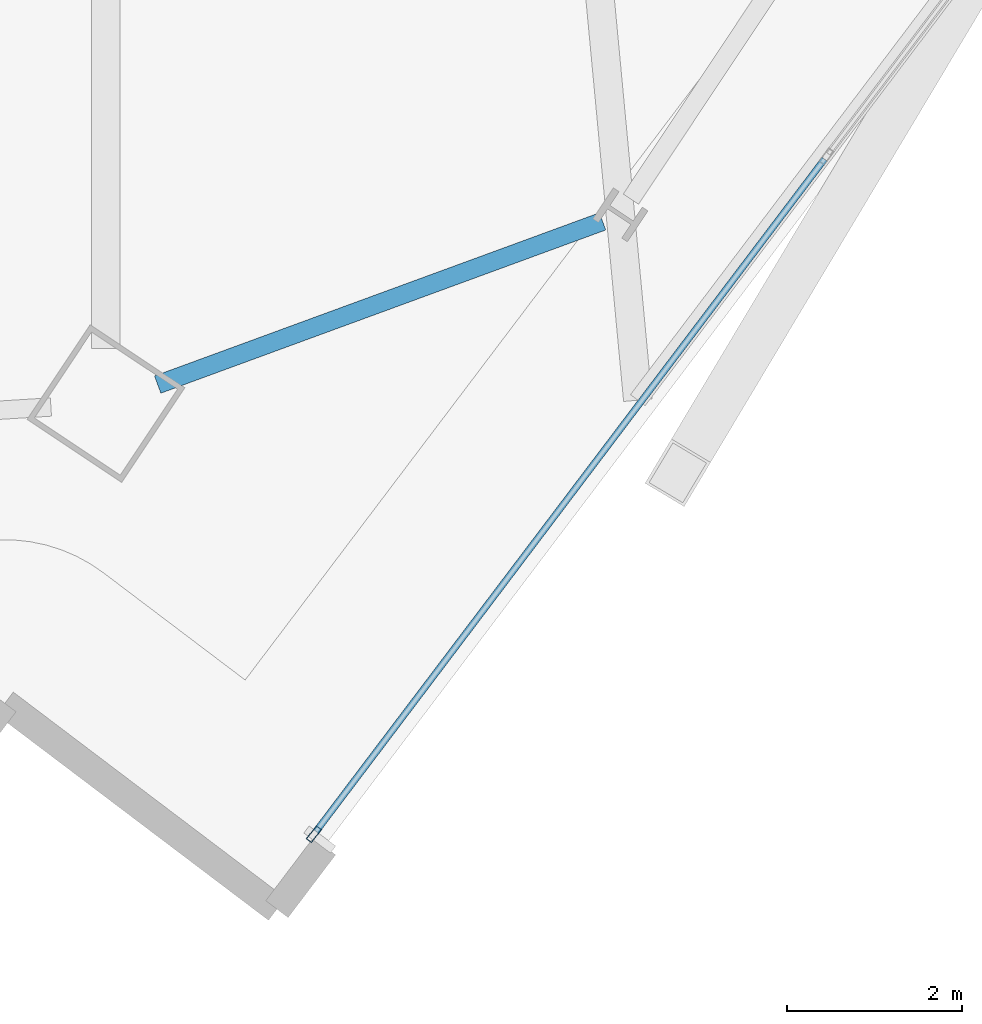
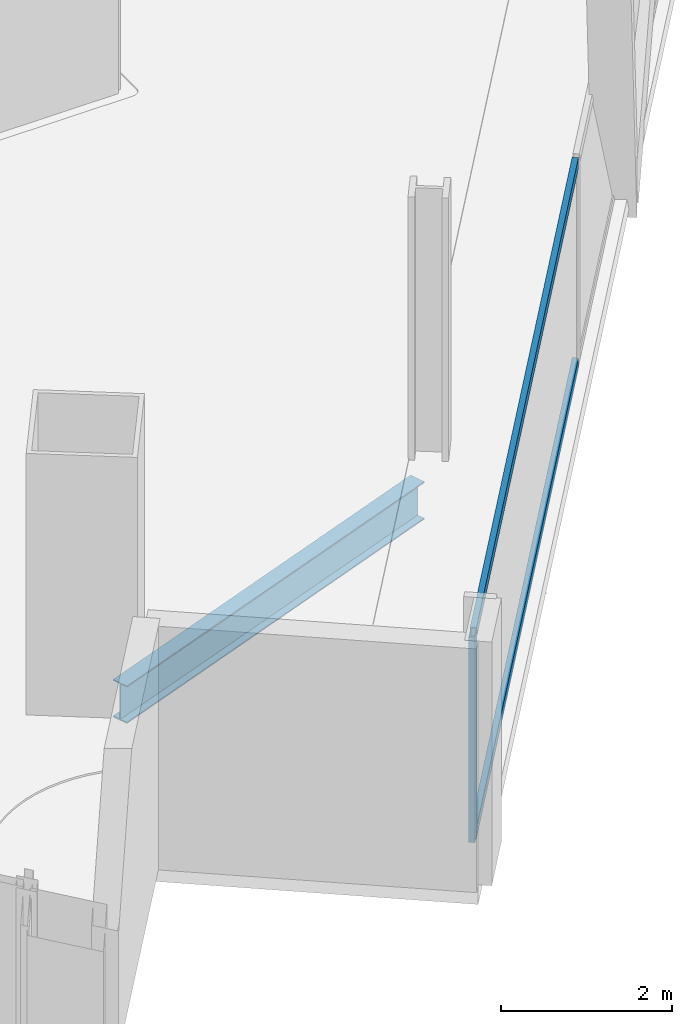
# One storey, part 9 of 34: 3 members, 1 beam, 1 element without a shape of its own.
"""IFC4 building model written with IfcOpenShell, lengths in metres."""

import ifcopenshell
import ifcopenshell.guid

model = None  # the IFC model being written
_history = None  # IfcOwnerHistory: only IFC2X3 demands one
_inside = {}  # id of a spatial element -> (the spatial element, [elements in it])
_under = {}  # id of a project, library or spatial element -> (it, [spatial elements below it])
_declared = {}  # id of a project -> (the project, [libraries it declares])
_typed = {}  # id of a type object -> (the type object, [elements of that type])
_made_of = {}  # id of a material, layer set ... -> (it, [elements and type objects made of it])


def new_model(schema):
    """Start an empty IFC model of exactly this schema.

    Asked for "IFC4X3", IfcOpenShell would pick the latest addendum, in which some entities
    have other attributes; the version numbers below select the first issue.
    IFC2X3 requires an IfcOwnerHistory on every rooted entity: one is made here for all.
    """
    global model, _history
    if schema == "IFC4X3":
        model = ifcopenshell.file(schema_version=(4, 3, 0, 0))
    else:
        model = ifcopenshell.file(schema=schema)
    _inside.clear()
    _under.clear()
    _declared.clear()
    _typed.clear()
    _made_of.clear()
    _history = None
    if model.schema == "IFC2X3":
        org = make("IfcOrganization", Name="unknown")
        user = make(
            "IfcPersonAndOrganization",
            ThePerson=make("IfcPerson", FamilyName="unknown"),
            TheOrganization=org,
        )
        app = make(
            "IfcApplication",
            ApplicationDeveloper=org,
            Version="unknown",
            ApplicationFullName="unknown",
            ApplicationIdentifier="unknown",
        )
        _history = make(
            "IfcOwnerHistory",
            OwningUser=user,
            OwningApplication=app,
            ChangeAction="ADDED",
            CreationDate=0,
        )
    return model


def make(cls, **values):
    """One entity of the class cls with the attributes given. An attribute that is None is left unset."""
    return model.create_entity(
        cls, **{name: value for name, value in values.items() if value is not None}
    )


def rooted(cls, **values):
    """An entity with a GlobalId (a new one), such as an element, a storey or a relation."""
    return make(cls, GlobalId=ifcopenshell.guid.new(), OwnerHistory=_history, **values)


def si_unit(unit_type, name, prefix=None):
    """IfcSIUnit, for example si_unit("LENGTHUNIT", "METRE", prefix="MILLI")."""
    return make("IfcSIUnit", UnitType=unit_type, Prefix=prefix, Name=name)


def assignment(units):
    """IfcUnitAssignment: the units of a project."""
    return None if units is None else make("IfcUnitAssignment", Units=units)


def point(xyz):
    """IfcCartesianPoint."""
    return None if xyz is None else make("IfcCartesianPoint", Coordinates=xyz)


def direction(xyz):
    """IfcDirection."""
    return None if xyz is None else make("IfcDirection", DirectionRatios=xyz)


def frame(location, z_axis=None, x_axis=None):
    """IfcAxis2Placement3D, a coordinate frame: its origin and axes. An axis left out is left unset."""
    return make(
        "IfcAxis2Placement3D",
        Location=point(location),
        Axis=direction(z_axis),
        RefDirection=direction(x_axis),
    )


def frame_2d(location, x_axis=None):
    """IfcAxis2Placement2D, a coordinate frame in the plane: its origin and x axis."""
    return make(
        "IfcAxis2Placement2D", Location=point(location), RefDirection=direction(x_axis)
    )


def origin():
    """The frame at (0, 0, 0) with its axes left unset."""
    return frame((0.0, 0.0, 0.0))


def origin_2d():
    """The frame at (0, 0) in the plane with its x axis left unset."""
    return frame_2d((0.0, 0.0))


def place(relative_to, where):
    """IfcLocalPlacement: puts the frame where relative to a parent placement (None: the world)."""
    return make(
        "IfcLocalPlacement", PlacementRelTo=relative_to, RelativePlacement=where
    )


def context(
    kind, dimensions, precision=None, world=None, true_north=None, identifier=None
):
    """IfcGeometricRepresentationContext, for example the 3D "Model" context."""
    return make(
        "IfcGeometricRepresentationContext",
        ContextIdentifier=identifier,
        ContextType=kind,
        CoordinateSpaceDimension=dimensions,
        Precision=precision,
        WorldCoordinateSystem=world,
        TrueNorth=true_north,
    )


def subcontext(parent, identifier, kind, view, scale=None):
    """IfcGeometricRepresentationSubContext, for example "Body" below "Model"."""
    return make(
        "IfcGeometricRepresentationSubContext",
        ContextIdentifier=identifier,
        ContextType=kind,
        ParentContext=parent,
        TargetScale=scale,
        TargetView=view,
    )


def project(units=None, contexts=None):
    """IfcProject with its units and contexts."""
    return rooted(
        "IfcProject",
        Name="project",
        RepresentationContexts=contexts,
        UnitsInContext=assignment(units),
    )


def spatial(cls, under=None, at=None, **own):
    """A site, building, storey or space (cls), placed at a placement, below another one or the project."""
    s = rooted(cls, ObjectPlacement=at, **own)
    if under is not None:
        _under.setdefault(under.id(), (under, []))[1].append(s)
    return s


def profile(cls, at=None, kind="AREA", **sizes):
    """A parametric profile (cls). Its sizes go by their IFC names, for example OverallWidth=200.0."""
    return make(cls, ProfileType=kind, Position=at, **sizes)


def hollow_rectangle(**sizes):
    """IfcRectangleHollowProfileDef."""
    return profile("IfcRectangleHollowProfileDef", **sizes)


def i_section(**sizes):
    """IfcIShapeProfileDef."""
    return profile("IfcIShapeProfileDef", **sizes)


def extrude(swept, where, along, depth):
    """IfcExtrudedAreaSolid: the profile swept, set in the frame where, extruded along a direction by depth."""
    return make(
        "IfcExtrudedAreaSolid",
        SweptArea=swept,
        Position=where,
        ExtrudedDirection=direction(along),
        Depth=depth,
    )


def shape(context_of_items, identifier, shape_type, items):
    """IfcShapeRepresentation: the items that make up one representation, for example the "Body"."""
    return make(
        "IfcShapeRepresentation",
        ContextOfItems=context_of_items,
        RepresentationIdentifier=identifier,
        RepresentationType=shape_type,
        Items=items,
    )


def material(Name=None, Category=None):
    """IfcMaterial."""
    return make("IfcMaterial", Name=Name, Category=Category)


def material_profile(
    of_material, cross_section, Name=None, Category=None, Priority=None
):
    """IfcMaterialProfile: a cross section and its material."""
    return make(
        "IfcMaterialProfile",
        Name=Name,
        Material=of_material,
        Profile=cross_section,
        Priority=Priority,
        Category=Category,
    )


def profile_set(profiles, Name=None, composite=None):
    """IfcMaterialProfileSet."""
    return make(
        "IfcMaterialProfileSet",
        Name=Name,
        MaterialProfiles=profiles,
        CompositeProfile=composite,
    )


def made_of(thing, what):
    """Note that an element or type object is made of a material, layer set ...; save() writes the relation."""
    if what is not None:
        _made_of.setdefault(what.id(), (what, []))[1].append(thing)
    return thing


def type_object(cls, material=None, **own):
    """A type object (cls), such as IfcWallType, which elements share."""
    return made_of(rooted(cls, **own), material)


def element(
    cls,
    number,
    at=None,
    inside=None,
    cuts=None,
    type_object=None,
    material=None,
    context=None,
    identifier="Body",
    shape_type=None,
    held_by="IfcProductDefinitionShape",
    body=None,
    shapes=None,
    **own,
):
    """One element of the class cls, such as IfcWall. Its Tag is "e" and its number.

    at: its placement. inside: the storey or other place that contains it. cuts: it is an
    opening in that element (IfcRelVoidsElement). A single representation is given by context,
    identifier, shape_type and body (its items); several are given by shapes. held_by: the class
    of the entity that holds the representations. save() writes the other relations.
    """
    e = rooted(cls, Tag="e%d" % number, ObjectPlacement=at, **own)
    if body is not None:
        shapes = [shape(context, identifier, shape_type, body)]
    if shapes is not None:
        e.Representation = make(held_by, Representations=shapes)
    if inside is not None:
        _inside.setdefault(inside.id(), (inside, []))[1].append(e)
    if cuts is not None:
        rooted(
            "IfcRelVoidsElement", RelatingBuildingElement=cuts, RelatedOpeningElement=e
        )
    if type_object is not None:
        _typed.setdefault(type_object.id(), (type_object, []))[1].append(e)
    return made_of(e, material)


def aggregate(whole, parts):
    """IfcRelAggregates: a whole, such as a stair, and the parts it consists of."""
    return rooted("IfcRelAggregates", RelatingObject=whole, RelatedObjects=parts)


def save(model, path):
    """Write the relations noted so far, then the file.

    IfcRelAggregates (storeys below a building ...), IfcRelContainedInSpatialStructure (elements
    in a storey), IfcRelDefinesByType, IfcRelAssociatesMaterial and IfcRelDeclares: one each for
    every whole, place, type object, material and project.
    """
    for whole, parts in _under.values():
        aggregate(whole, parts)
    for where, things in _inside.values():
        rooted(
            "IfcRelContainedInSpatialStructure",
            RelatedElements=things,
            RelatingStructure=where,
        )
    for kind, things in _typed.values():
        rooted("IfcRelDefinesByType", RelatedObjects=things, RelatingType=kind)
    for what, things in _made_of.values():
        rooted("IfcRelAssociatesMaterial", RelatedObjects=things, RelatingMaterial=what)
    for by, libraries in _declared.values():
        rooted("IfcRelDeclares", RelatingContext=by, RelatedDefinitions=libraries)
    model.write(path)


model = new_model("IFC4")

# Units and contexts
model_context = context("Model", 3, precision=1e-05, world=origin(), true_north=direction((0.0, 1.0)))
body_context = subcontext(model_context, "Body", "Model", "MODEL_VIEW")
ifc_project = project(units=[si_unit("LENGTHUNIT", "METRE"), si_unit("AREAUNIT", "SQUARE_METRE"), si_unit("VOLUMEUNIT", "CUBIC_METRE"), si_unit("PLANEANGLEUNIT", "RADIAN"), si_unit("MASSUNIT", "GRAM", prefix="KILO")], contexts=[model_context])

# Site, building, storey
site_placement = place(None, origin())
site = spatial("IfcSite", under=ifc_project, at=site_placement, CompositionType="ELEMENT")
building_placement = place(site_placement, origin())
building = spatial("IfcBuilding", under=site, at=building_placement, Name="Haldenkirk Collegiate Tower", CompositionType="ELEMENT")
storey_placement = place(building_placement, frame((0.0, 0.0, 205.949951171875)))
storey = spatial("IfcBuildingStorey", under=building, at=storey_placement, Name="L51", CompositionType="ELEMENT", Elevation=205.949951171875)

# Beam
ifc_material_1 = material(Name="Steel ASTM A992 Grade 50", Category="steel")
ifc_material_profile_1 = material_profile(ifc_material_1, i_section(OverallWidth=0.2099609375, OverallDepth=0.537109375, WebThickness=0.010986328125, FlangeThickness=0.017333984375, at=origin_2d()), Name="W21X68")
ifc_profile_set_1 = profile_set([ifc_material_profile_1], Name="Steel ASTM A992 Grade 50")
beam_type = type_object("IfcBeamType", Name="BM-SPANDREL-W21X68", PredefinedType="SPANDREL", material=ifc_profile_set_1)
beam_placement = place(storey_placement, frame((41.07421875, 1.5498046875, -0.54833984375), z_axis=(0.938836975249, 0.344361922843, 0.0), x_axis=(-0.344361922843, 0.938836975249, 0.0)))
element("IfcBeam", 1, at=beam_placement, inside=storey, type_object=beam_type, Name="L51 perimeter spandrel beam 01", PredefinedType="SPANDREL", context=body_context, shape_type="SweptSolid", body=[
    extrude(i_section(OverallWidth=0.2099609375, OverallDepth=0.537109375, WebThickness=0.010986328125, FlangeThickness=0.017333984375, at=origin_2d()), origin(), (0.0, 0.0, 1.0), 5.41650390625),
])

# Curtain wall, members
ifc_material_2 = material(Name="Anodised architectural bronze aluminium", Category="aluminium")
curtain_wall_type = type_object("IfcCurtainWallType", Name="CW-SYS2-CONCAVE", PredefinedType="USERDEFINED", material=ifc_material_2)
curtain_wall_placement = place(storey_placement, origin())
curtain_wall = element("IfcCurtainWall", 2, at=curtain_wall_placement, inside=storey, type_object=curtain_wall_type, Name="L51 South concave recessed bronze-anodised curtain wall", ObjectType="UNITISED CURTAIN WALL", PredefinedType="USERDEFINED")
ifc_material_profile_2 = material_profile(ifc_material_2, hollow_rectangle(XDim=0.074951171875, YDim=0.18994140625, WallThickness=0.0048828125, at=origin_2d()), Name="CW-MUL-02")
ifc_profile_set_2 = profile_set([ifc_material_profile_2], Name="Anodised architectural bronze aluminium")
member_type_1 = type_object("IfcMemberType", Name="CW-MUL-02", PredefinedType="MULLION", material=ifc_profile_set_2)
member_1_placement = place(storey_placement, frame((42.859619140625, -3.58984375, 0.0), z_axis=(0.0, 0.0, 1.0), x_axis=(0.797584320771, -0.6032074695, 0.0)))
member_1 = element("IfcMember", 3, at=member_1_placement, type_object=member_type_1, Name="CW-02 mullion 5", PredefinedType="MULLION", context=body_context, shape_type="SweptSolid", body=[
    extrude(hollow_rectangle(XDim=0.074951171875, YDim=0.18994140625, WallThickness=0.0048828125, at=origin_2d()), origin(), (0.0, 0.0, 1.0), 2.927978515625),
])
ifc_material_profile_3 = material_profile(ifc_material_2, hollow_rectangle(XDim=0.074951171875, YDim=0.159912109375, WallThickness=0.0048828125, at=origin_2d()), Name="CW-TRN-02")
ifc_profile_set_3 = profile_set([ifc_material_profile_3], Name="Anodised architectural bronze aluminium")
member_type_2 = type_object("IfcMemberType", Name="CW-TRN-02", PredefinedType="USERDEFINED", material=ifc_profile_set_3)
member_2_placement = place(storey_placement, frame((48.69580078125, 4.126953125, 0.03759765625), z_axis=(-0.603209301423, -0.797582935297, 0.0), x_axis=(0.797582935297, -0.603209301423, 0.0)))
member_2 = element("IfcMember", 4, at=member_2_placement, type_object=member_type_2, Name="CW-02 transom 4.1", ObjectType="TRANSOM", PredefinedType="USERDEFINED", context=body_context, shape_type="SweptSolid", body=[
    extrude(hollow_rectangle(XDim=0.074951171875, YDim=0.159912109375, WallThickness=0.0048828125, at=origin_2d()), origin(), (0.0, 0.0, 1.0), 9.6376953125),
])
member_3_placement = place(storey_placement, frame((48.69580078125, 4.126953125, 2.890625), z_axis=(-0.603209301423, -0.797582935297, 0.0), x_axis=(0.797582935297, -0.603209301423, 0.0)))
member_3 = element("IfcMember", 5, at=member_3_placement, type_object=member_type_2, Name="CW-02 transom 4.2", ObjectType="TRANSOM", PredefinedType="USERDEFINED", context=body_context, shape_type="SweptSolid", body=[
    extrude(hollow_rectangle(XDim=0.074951171875, YDim=0.159912109375, WallThickness=0.0048828125, at=origin_2d()), origin(), (0.0, 0.0, 1.0), 9.6376953125),
])
aggregate(curtain_wall, [member_1, member_2, member_3])

save(model, "model.ifc")
